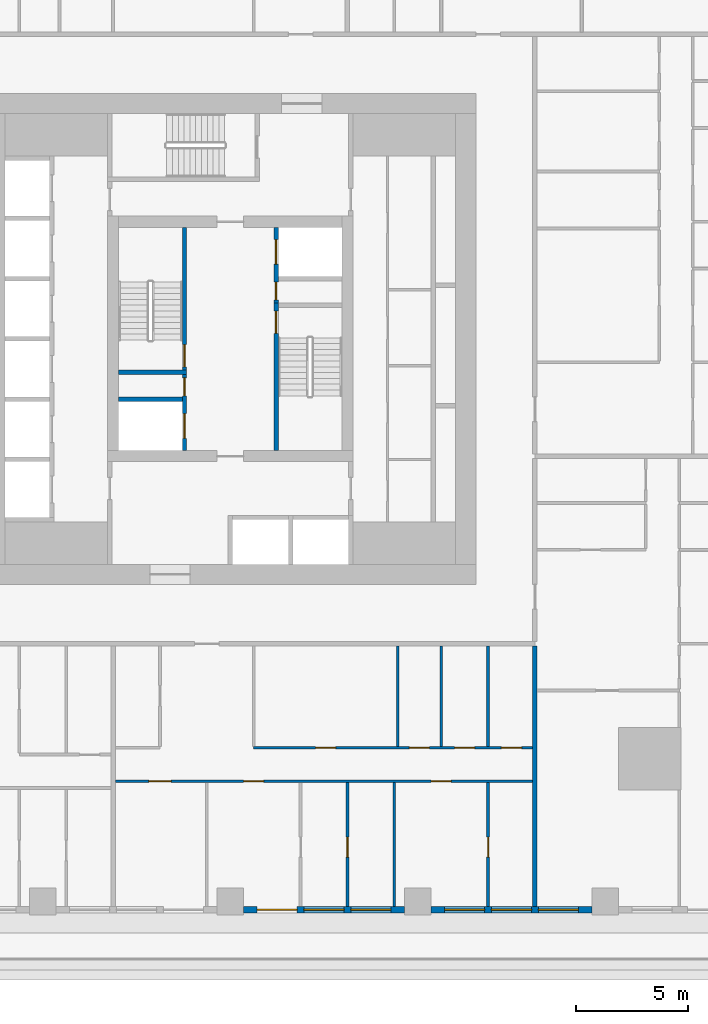
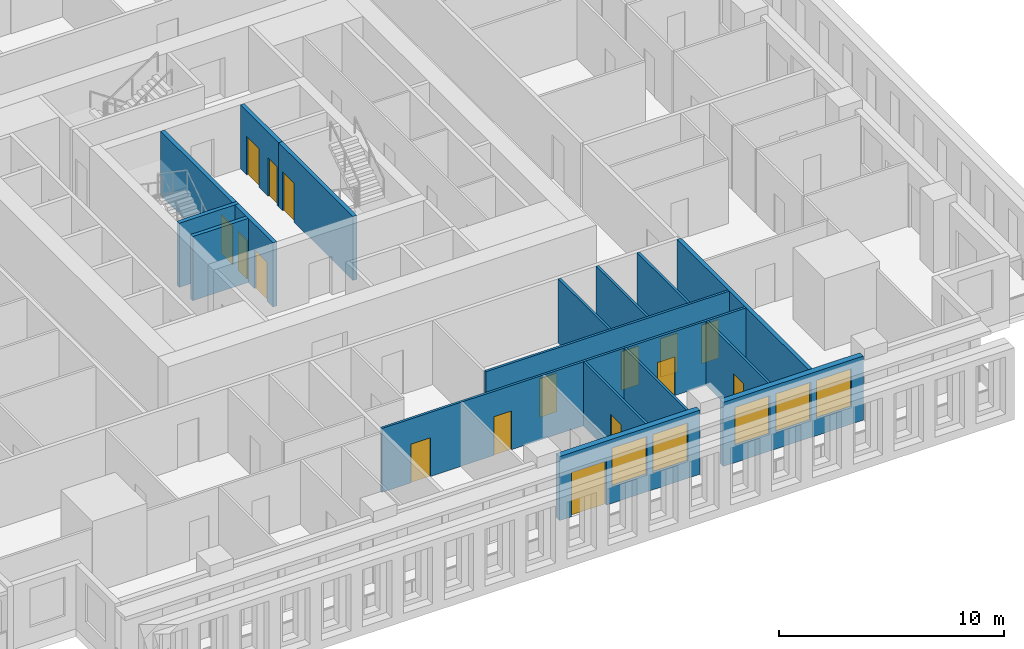
# One storey, part 4 of 15: 17 walls, 16 doors, 5 windows, 21 openings.
"""IFC4 building model written with IfcOpenShell, lengths in metres."""

import ifcopenshell
import ifcopenshell.guid

model = None  # the IFC model being written
_history = None  # IfcOwnerHistory: only IFC2X3 demands one
_inside = {}  # id of a spatial element -> (the spatial element, [elements in it])
_under = {}  # id of a project, library or spatial element -> (it, [spatial elements below it])
_declared = {}  # id of a project -> (the project, [libraries it declares])
_typed = {}  # id of a type object -> (the type object, [elements of that type])
_made_of = {}  # id of a material, layer set ... -> (it, [elements and type objects made of it])


def new_model(schema):
    """Start an empty IFC model of exactly this schema.

    Asked for "IFC4X3", IfcOpenShell would pick the latest addendum, in which some entities
    have other attributes; the version numbers below select the first issue.
    IFC2X3 requires an IfcOwnerHistory on every rooted entity: one is made here for all.
    """
    global model, _history
    if schema == "IFC4X3":
        model = ifcopenshell.file(schema_version=(4, 3, 0, 0))
    else:
        model = ifcopenshell.file(schema=schema)
    _inside.clear()
    _under.clear()
    _declared.clear()
    _typed.clear()
    _made_of.clear()
    _history = None
    if model.schema == "IFC2X3":
        org = make("IfcOrganization", Name="unknown")
        user = make(
            "IfcPersonAndOrganization",
            ThePerson=make("IfcPerson", FamilyName="unknown"),
            TheOrganization=org,
        )
        app = make(
            "IfcApplication",
            ApplicationDeveloper=org,
            Version="unknown",
            ApplicationFullName="unknown",
            ApplicationIdentifier="unknown",
        )
        _history = make(
            "IfcOwnerHistory",
            OwningUser=user,
            OwningApplication=app,
            ChangeAction="ADDED",
            CreationDate=0,
        )
    return model


def make(cls, **values):
    """One entity of the class cls with the attributes given. An attribute that is None is left unset."""
    return model.create_entity(
        cls, **{name: value for name, value in values.items() if value is not None}
    )


def rooted(cls, **values):
    """An entity with a GlobalId (a new one), such as an element, a storey or a relation."""
    return make(cls, GlobalId=ifcopenshell.guid.new(), OwnerHistory=_history, **values)


def si_unit(unit_type, name, prefix=None):
    """IfcSIUnit, for example si_unit("LENGTHUNIT", "METRE", prefix="MILLI")."""
    return make("IfcSIUnit", UnitType=unit_type, Prefix=prefix, Name=name)


def assignment(units):
    """IfcUnitAssignment: the units of a project."""
    return None if units is None else make("IfcUnitAssignment", Units=units)


def point(xyz):
    """IfcCartesianPoint."""
    return None if xyz is None else make("IfcCartesianPoint", Coordinates=xyz)


def direction(xyz):
    """IfcDirection."""
    return None if xyz is None else make("IfcDirection", DirectionRatios=xyz)


def frame(location, z_axis=None, x_axis=None):
    """IfcAxis2Placement3D, a coordinate frame: its origin and axes. An axis left out is left unset."""
    return make(
        "IfcAxis2Placement3D",
        Location=point(location),
        Axis=direction(z_axis),
        RefDirection=direction(x_axis),
    )


def frame_2d(location, x_axis=None):
    """IfcAxis2Placement2D, a coordinate frame in the plane: its origin and x axis."""
    return make(
        "IfcAxis2Placement2D", Location=point(location), RefDirection=direction(x_axis)
    )


def origin():
    """The frame at (0, 0, 0) with its axes left unset."""
    return frame((0.0, 0.0, 0.0))


def place(relative_to, where):
    """IfcLocalPlacement: puts the frame where relative to a parent placement (None: the world)."""
    return make(
        "IfcLocalPlacement", PlacementRelTo=relative_to, RelativePlacement=where
    )


def context(
    kind, dimensions, precision=None, world=None, true_north=None, identifier=None
):
    """IfcGeometricRepresentationContext, for example the 3D "Model" context."""
    return make(
        "IfcGeometricRepresentationContext",
        ContextIdentifier=identifier,
        ContextType=kind,
        CoordinateSpaceDimension=dimensions,
        Precision=precision,
        WorldCoordinateSystem=world,
        TrueNorth=true_north,
    )


def subcontext(parent, identifier, kind, view, scale=None):
    """IfcGeometricRepresentationSubContext, for example "Body" below "Model"."""
    return make(
        "IfcGeometricRepresentationSubContext",
        ContextIdentifier=identifier,
        ContextType=kind,
        ParentContext=parent,
        TargetScale=scale,
        TargetView=view,
    )


def project(units=None, contexts=None):
    """IfcProject with its units and contexts."""
    return rooted(
        "IfcProject",
        Name="project",
        RepresentationContexts=contexts,
        UnitsInContext=assignment(units),
    )


def spatial(cls, under=None, at=None, **own):
    """A site, building, storey or space (cls), placed at a placement, below another one or the project."""
    s = rooted(cls, ObjectPlacement=at, **own)
    if under is not None:
        _under.setdefault(under.id(), (under, []))[1].append(s)
    return s


def profile(cls, at=None, kind="AREA", **sizes):
    """A parametric profile (cls). Its sizes go by their IFC names, for example OverallWidth=200.0."""
    return make(cls, ProfileType=kind, Position=at, **sizes)


def rectangle(**sizes):
    """IfcRectangleProfileDef."""
    return profile("IfcRectangleProfileDef", **sizes)


def extrude(swept, where, along, depth):
    """IfcExtrudedAreaSolid: the profile swept, set in the frame where, extruded along a direction by depth."""
    return make(
        "IfcExtrudedAreaSolid",
        SweptArea=swept,
        Position=where,
        ExtrudedDirection=direction(along),
        Depth=depth,
    )


def shape(context_of_items, identifier, shape_type, items):
    """IfcShapeRepresentation: the items that make up one representation, for example the "Body"."""
    return make(
        "IfcShapeRepresentation",
        ContextOfItems=context_of_items,
        RepresentationIdentifier=identifier,
        RepresentationType=shape_type,
        Items=items,
    )


def material(Name=None, Category=None):
    """IfcMaterial."""
    return make("IfcMaterial", Name=Name, Category=Category)


def layer(
    of_material, thickness, ventilated=None, Name=None, Category=None, Priority=None
):
    """IfcMaterialLayer: one layer of a wall or slab, of a material (None: an air gap)."""
    return make(
        "IfcMaterialLayer",
        Material=of_material,
        LayerThickness=thickness,
        IsVentilated=ventilated,
        Name=Name,
        Category=Category,
        Priority=Priority,
    )


def layer_set(layers, Name=None):
    """IfcMaterialLayerSet."""
    return make("IfcMaterialLayerSet", MaterialLayers=layers, LayerSetName=Name)


def made_of(thing, what):
    """Note that an element or type object is made of a material, layer set ...; save() writes the relation."""
    if what is not None:
        _made_of.setdefault(what.id(), (what, []))[1].append(thing)
    return thing


def type_object(cls, material=None, **own):
    """A type object (cls), such as IfcWallType, which elements share."""
    return made_of(rooted(cls, **own), material)


def element(
    cls,
    number,
    at=None,
    inside=None,
    cuts=None,
    type_object=None,
    material=None,
    context=None,
    identifier="Body",
    shape_type=None,
    held_by="IfcProductDefinitionShape",
    body=None,
    shapes=None,
    **own,
):
    """One element of the class cls, such as IfcWall. Its Tag is "e" and its number.

    at: its placement. inside: the storey or other place that contains it. cuts: it is an
    opening in that element (IfcRelVoidsElement). A single representation is given by context,
    identifier, shape_type and body (its items); several are given by shapes. held_by: the class
    of the entity that holds the representations. save() writes the other relations.
    """
    e = rooted(cls, Tag="e%d" % number, ObjectPlacement=at, **own)
    if body is not None:
        shapes = [shape(context, identifier, shape_type, body)]
    if shapes is not None:
        e.Representation = make(held_by, Representations=shapes)
    if inside is not None:
        _inside.setdefault(inside.id(), (inside, []))[1].append(e)
    if cuts is not None:
        rooted(
            "IfcRelVoidsElement", RelatingBuildingElement=cuts, RelatedOpeningElement=e
        )
    if type_object is not None:
        _typed.setdefault(type_object.id(), (type_object, []))[1].append(e)
    return made_of(e, material)


def fill(opening, filler):
    """IfcRelFillsElement: the door or window that sits in an opening."""
    return rooted(
        "IfcRelFillsElement",
        RelatingOpeningElement=opening,
        RelatedBuildingElement=filler,
    )


def aggregate(whole, parts):
    """IfcRelAggregates: a whole, such as a stair, and the parts it consists of."""
    return rooted("IfcRelAggregates", RelatingObject=whole, RelatedObjects=parts)


def save(model, path):
    """Write the relations noted so far, then the file.

    IfcRelAggregates (storeys below a building ...), IfcRelContainedInSpatialStructure (elements
    in a storey), IfcRelDefinesByType, IfcRelAssociatesMaterial and IfcRelDeclares: one each for
    every whole, place, type object, material and project.
    """
    for whole, parts in _under.values():
        aggregate(whole, parts)
    for where, things in _inside.values():
        rooted(
            "IfcRelContainedInSpatialStructure",
            RelatedElements=things,
            RelatingStructure=where,
        )
    for kind, things in _typed.values():
        rooted("IfcRelDefinesByType", RelatedObjects=things, RelatingType=kind)
    for what, things in _made_of.values():
        rooted("IfcRelAssociatesMaterial", RelatedObjects=things, RelatingMaterial=what)
    for by, libraries in _declared.values():
        rooted("IfcRelDeclares", RelatingContext=by, RelatedDefinitions=libraries)
    model.write(path)


model = new_model("IFC4")

# Units and contexts
model_context = context("Model", 3, precision=1e-05, world=origin(), true_north=direction((0.0, 1.0)))
body_context = subcontext(model_context, "Body", "Model", "MODEL_VIEW")
ifc_project = project(units=[si_unit("LENGTHUNIT", "METRE"), si_unit("AREAUNIT", "SQUARE_METRE"), si_unit("VOLUMEUNIT", "CUBIC_METRE"), si_unit("PLANEANGLEUNIT", "RADIAN"), si_unit("MASSUNIT", "GRAM", prefix="KILO")], contexts=[model_context])

# Site, building, storey
site_placement = place(None, origin())
site = spatial("IfcSite", under=ifc_project, at=site_placement, CompositionType="ELEMENT")
building_placement = place(site_placement, origin())
building = spatial("IfcBuilding", under=site, at=building_placement, Name="Khepri Terraces", CompositionType="ELEMENT")
storey_placement = place(building_placement, frame((0.0, 0.0, 94.800048828125)))
storey = spatial("IfcBuildingStorey", under=building, at=storey_placement, Name="L22", CompositionType="ELEMENT", Elevation=94.800048828125)

# Wall, opening, door
ifc_material_1 = material(Name="Concrete C70/85", Category="concrete")
ifc_layer_1 = layer(ifc_material_1, 0.199951171875, Name="Concrete C70/85", Category="concrete")
ifc_layer_set_1 = layer_set([ifc_layer_1], Name="Concrete C70/85")
wall_type_1 = type_object("IfcWallType", Name="Core wall 200 C70/85", PredefinedType="SHEAR", material=ifc_layer_set_1)
wall_1_placement = place(storey_placement, frame((2.050048828125, -5.0, 0.0), z_axis=(0.0, 0.0, 1.0), x_axis=(0.0, 1.0, 0.0)))
wall_1 = element("IfcWall", 1, at=wall_1_placement, inside=storey, type_object=wall_type_1, Name="Core wall ST01 L22", PredefinedType="SHEAR", context=body_context, shape_type="SweptSolid", body=[
    extrude(rectangle(XDim=6.60009765625, YDim=0.199951171875, at=frame_2d((3.300048828125, 0.0))), origin(), (0.0, 0.0, 1.0), 3.47998046875),
])
opening_1_placement = place(wall_1_placement, frame((5.25, 0.0, 0.0)))
opening_1 = element("IfcOpeningElement", 2, at=opening_1_placement, cuts=wall_1, Name="Opening L22-C10", PredefinedType="OPENING", context=body_context, shape_type="SweptSolid", body=[
    extrude(rectangle(XDim=1.0, YDim=2.10009765625, at=frame_2d((0.5, 1.050048828125))), frame((0.0, 0.10986328125, 0.0), z_axis=(0.0, -1.0, 0.0), x_axis=(1.0, 0.0, 0.0)), (0.0, 0.0, 1.0), 0.219970703125),
])
ifc_material_2 = material(Name="Painted steel", Category="steel")
door_type_1 = type_object("IfcDoorType", Name="DR-CORE-STAIR-1000", OperationType="NOTDEFINED", PredefinedType="DOOR", material=ifc_material_2)
door_1_placement = place(opening_1_placement, frame((1.0, 0.0, 0.0), z_axis=(0.0, 0.0, 1.0), x_axis=(-1.0, 0.0, 0.0)))
door_1 = element("IfcDoor", 3, at=door_1_placement, inside=storey, type_object=door_type_1, Name="Stair door L22-C10", OperationType="SINGLE_SWING_LEFT", OverallHeight=2.10009765625, OverallWidth=1.0, PredefinedType="DOOR", context=body_context, shape_type="SweptSolid", body=[
    extrude(rectangle(XDim=1.0, YDim=2.10009765625, at=frame_2d((0.5, 1.050048828125))), frame((0.0, 0.02490234375, 0.0), z_axis=(0.0, -1.0, 0.0), x_axis=(1.0, 0.0, 0.0)), (0.0, 0.0, 1.0), 0.050048828125),
])
fill(opening_1, door_1)

# Wall
wall_2_placement = place(storey_placement, frame((-5.0, -1.5, 0.0), z_axis=(0.0, 0.0, 1.0), x_axis=(1.0, 0.0, 0.0)))
element("IfcWall", 4, at=wall_2_placement, inside=storey, type_object=wall_type_1, Name="Core wall ST02 L22", PredefinedType="SHEAR", context=body_context, shape_type="SweptSolid", body=[
    extrude(rectangle(XDim=3.050048828125, YDim=0.199951171875, at=frame_2d((1.52490234375, 0.0))), origin(), (0.0, 0.0, 1.0), 3.47998046875),
])

# Wall, opening, door
wall_3_placement = place(storey_placement, frame((-2.050048828125, -1.39990234375, 0.0), z_axis=(0.0, 0.0, 1.0), x_axis=(0.0, 1.0, 0.0)))
wall_3 = element("IfcWall", 5, at=wall_3_placement, inside=storey, type_object=wall_type_1, Name="Core wall ST03 L22", PredefinedType="SHEAR", context=body_context, shape_type="SweptSolid", body=[
    extrude(rectangle(XDim=6.39990234375, YDim=0.199951171875, at=frame_2d((3.199951171875, 0.0))), origin(), (0.0, 0.0, 1.0), 3.47998046875),
])
opening_2_placement = place(wall_3_placement, frame((0.14990234375, 0.0, 0.0)))
opening_2 = element("IfcOpeningElement", 6, at=opening_2_placement, cuts=wall_3, Name="Opening L22-C09", PredefinedType="OPENING", context=body_context, shape_type="SweptSolid", body=[
    extrude(rectangle(XDim=1.0, YDim=2.10009765625, at=frame_2d((0.5, 1.050048828125))), frame((0.0, 0.10986328125, 0.0), z_axis=(0.0, -1.0, 0.0), x_axis=(1.0, 0.0, 0.0)), (0.0, 0.0, 1.0), 0.219970703125),
])
door_2_placement = place(opening_2_placement, origin())
door_2 = element("IfcDoor", 7, at=door_2_placement, inside=storey, type_object=door_type_1, Name="Stair door L22-C09", OperationType="SINGLE_SWING_LEFT", OverallHeight=2.10009765625, OverallWidth=1.0, PredefinedType="DOOR", context=body_context, shape_type="SweptSolid", body=[
    extrude(rectangle(XDim=1.0, YDim=2.10009765625, at=frame_2d((0.5, 1.050048828125))), frame((0.0, 0.02490234375, 0.0), z_axis=(0.0, -1.0, 0.0), x_axis=(1.0, 0.0, 0.0)), (0.0, 0.0, 1.0), 0.050048828125),
])
fill(opening_2, door_2)

# Wall, openings, doors
wall_4_placement = place(storey_placement, frame((-2.050048828125, -5.0, 0.0), z_axis=(0.0, 0.0, 1.0), x_axis=(0.0, 1.0, 0.0)))
wall_4 = element("IfcWall", 8, at=wall_4_placement, inside=storey, type_object=wall_type_1, Name="Core wall SH10 L22", PredefinedType="SHEAR", context=body_context, shape_type="SweptSolid", body=[
    extrude(rectangle(XDim=3.39990234375, YDim=0.199951171875, at=frame_2d((1.699951171875, 0.0))), origin(), (0.0, 0.0, 1.0), 3.47998046875),
])
opening_3_placement = place(wall_4_placement, frame((0.550048828125, 0.0, 0.0)))
opening_3 = element("IfcOpeningElement", 9, at=opening_3_placement, cuts=wall_4, Name="Opening L22-C08", PredefinedType="OPENING", context=body_context, shape_type="SweptSolid", body=[
    extrude(rectangle(XDim=1.10009765625, YDim=2.10009765625, at=frame_2d((0.550048828125, 1.050048828125))), frame((0.0, 0.10986328125, 0.0), z_axis=(0.0, -1.0, 0.0), x_axis=(1.0, 0.0, 0.0)), (0.0, 0.0, 1.0), 0.219970703125),
])
opening_4_placement = place(wall_4_placement, frame((2.449951171875, 0.0, 0.0)))
opening_4 = element("IfcOpeningElement", 10, at=opening_4_placement, cuts=wall_4, Name="Opening L22-C12", PredefinedType="OPENING", context=body_context, shape_type="SweptSolid", body=[
    extrude(rectangle(XDim=0.800048828125, YDim=2.10009765625, at=frame_2d((0.39990234375, 1.050048828125))), frame((0.0, 0.10986328125, 0.0), z_axis=(0.0, -1.0, 0.0), x_axis=(1.0, 0.0, 0.0)), (0.0, 0.0, 1.0), 0.219970703125),
])
ifc_material_3 = material(Name="Stainless steel 304", Category="steel")
door_type_2 = type_object("IfcDoorType", Name="DR-CORE-FF-LANDING-1100", OperationType="NOTDEFINED", PredefinedType="DOOR", material=ifc_material_3)
door_3_placement = place(opening_3_placement, origin())
door_3 = element("IfcDoor", 11, at=door_3_placement, inside=storey, type_object=door_type_2, Name="Firefighting lift landing door L22-C08", OperationType="SLIDING_TO_LEFT", OverallHeight=2.10009765625, OverallWidth=1.10009765625, PredefinedType="DOOR", context=body_context, shape_type="SweptSolid", body=[
    extrude(rectangle(XDim=1.10009765625, YDim=2.10009765625, at=frame_2d((0.550048828125, 1.050048828125))), frame((0.0, 0.02490234375, 0.0), z_axis=(0.0, -1.0, 0.0), x_axis=(1.0, 0.0, 0.0)), (0.0, 0.0, 1.0), 0.050048828125),
])
fill(opening_3, door_3)
door_type_3 = type_object("IfcDoorType", Name="DR-CORE-RISER-800", OperationType="NOTDEFINED", PredefinedType="DOOR", material=ifc_material_2)
door_4_placement = place(opening_4_placement, origin())
door_4 = element("IfcDoor", 12, at=door_4_placement, inside=storey, type_object=door_type_3, Name="Riser door L22-C12", OperationType="SINGLE_SWING_RIGHT", OverallHeight=2.10009765625, OverallWidth=0.800048828125, PredefinedType="DOOR", context=body_context, shape_type="SweptSolid", body=[
    extrude(rectangle(XDim=0.800048828125, YDim=2.10009765625, at=frame_2d((0.39990234375, 1.050048828125))), frame((0.0, 0.02490234375, 0.0), z_axis=(0.0, -1.0, 0.0), x_axis=(1.0, 0.0, 0.0)), (0.0, 0.0, 1.0), 0.050048828125),
])
fill(opening_4, door_4)

# Wall
wall_5_placement = place(storey_placement, frame((-5.0, -2.699951171875, 0.0), z_axis=(0.0, 0.0, 1.0), x_axis=(1.0, 0.0, 0.0)))
element("IfcWall", 13, at=wall_5_placement, inside=storey, type_object=wall_type_1, Name="Core wall SH13 L22", PredefinedType="SHEAR", context=body_context, shape_type="SweptSolid", body=[
    extrude(rectangle(XDim=2.85009765625, YDim=0.199951171875, at=frame_2d((1.425048828125, 0.0))), origin(), (0.0, 0.0, 1.0), 3.47998046875),
])

# Wall, openings, doors
wall_6_placement = place(storey_placement, frame((2.050048828125, 1.60009765625, 0.0), z_axis=(0.0, 0.0, 1.0), x_axis=(0.0, 1.0, 0.0)))
wall_6 = element("IfcWall", 14, at=wall_6_placement, inside=storey, type_object=wall_type_1, Name="Core wall SH15 L22", PredefinedType="SHEAR", context=body_context, shape_type="SweptSolid", body=[
    extrude(rectangle(XDim=3.39990234375, YDim=0.199951171875, at=frame_2d((1.699951171875, 0.0))), origin(), (0.0, 0.0, 1.0), 3.47998046875),
])
opening_5_placement = place(wall_6_placement, frame((1.75, 0.0, 0.0)))
opening_5 = element("IfcOpeningElement", 15, at=opening_5_placement, cuts=wall_6, Name="Opening L22-C07", PredefinedType="OPENING", context=body_context, shape_type="SweptSolid", body=[
    extrude(rectangle(XDim=1.10009765625, YDim=2.10009765625, at=frame_2d((0.550048828125, 1.050048828125))), frame((0.0, 0.10986328125, 0.0), z_axis=(0.0, -1.0, 0.0), x_axis=(1.0, 0.0, 0.0)), (0.0, 0.0, 1.0), 0.219970703125),
])
opening_6_placement = place(wall_6_placement, frame((0.14990234375, 0.0, 0.0)))
opening_6 = element("IfcOpeningElement", 16, at=opening_6_placement, cuts=wall_6, Name="Opening L22-C11", PredefinedType="OPENING", context=body_context, shape_type="SweptSolid", body=[
    extrude(rectangle(XDim=0.800048828125, YDim=2.10009765625, at=frame_2d((0.39990234375, 1.050048828125))), frame((0.0, 0.10986328125, 0.0), z_axis=(0.0, -1.0, 0.0), x_axis=(1.0, 0.0, 0.0)), (0.0, 0.0, 1.0), 0.219970703125),
])
door_5_placement = place(opening_5_placement, origin())
door_5 = element("IfcDoor", 17, at=door_5_placement, inside=storey, type_object=door_type_2, Name="Firefighting lift landing door L22-C07", OperationType="SLIDING_TO_LEFT", OverallHeight=2.10009765625, OverallWidth=1.10009765625, PredefinedType="DOOR", context=body_context, shape_type="SweptSolid", body=[
    extrude(rectangle(XDim=1.10009765625, YDim=2.10009765625, at=frame_2d((0.550048828125, 1.050048828125))), frame((0.0, 0.02490234375, 0.0), z_axis=(0.0, -1.0, 0.0), x_axis=(1.0, 0.0, 0.0)), (0.0, 0.0, 1.0), 0.050048828125),
])
fill(opening_5, door_5)
door_6_placement = place(opening_6_placement, frame((0.800048828125, 0.0, 0.0), z_axis=(0.0, 0.0, 1.0), x_axis=(-1.0, 0.0, 0.0)))
door_6 = element("IfcDoor", 18, at=door_6_placement, inside=storey, type_object=door_type_3, Name="Riser door L22-C11", OperationType="SINGLE_SWING_RIGHT", OverallHeight=2.10009765625, OverallWidth=0.800048828125, PredefinedType="DOOR", context=body_context, shape_type="SweptSolid", body=[
    extrude(rectangle(XDim=0.800048828125, YDim=2.10009765625, at=frame_2d((0.39990234375, 1.050048828125))), frame((0.0, 0.02490234375, 0.0), z_axis=(0.0, -1.0, 0.0), x_axis=(1.0, 0.0, 0.0)), (0.0, 0.0, 1.0), 0.050048828125),
])
fill(opening_6, door_6)

# Wall
ifc_material_4 = material(Name="Fire-rated gypsum plasterboard partition, mineral wool")
ifc_layer_2 = layer(ifc_material_4, 0.199951171875, Name="Fire-rated gypsum plasterboard partition, mineral wool")
ifc_layer_set_2 = layer_set([ifc_layer_2], Name="Fire-rated gypsum plasterboard partition, mineral wool")
wall_type_2 = type_object("IfcWallType", Name="WL-CORR-200", PredefinedType="PARTITIONING", material=ifc_layer_set_2)
wall_7_placement = place(storey_placement, frame((13.64990234375, -25.419921875, 0.0), z_axis=(0.0, 0.0, 1.0), x_axis=(0.0, 1.0, 0.0)))
element("IfcWall", 19, at=wall_7_placement, inside=storey, type_object=wall_type_2, Name="Partition P-010 L22", PredefinedType="PARTITIONING", context=body_context, shape_type="SweptSolid", body=[
    extrude(rectangle(XDim=11.669921875, YDim=0.199951171875, at=frame_2d((5.8349609375, 0.0))), origin(), (0.0, 0.0, 1.0), 3.47998046875),
])

# Wall, openings, door, windows
ifc_material_5 = material(Name="Precast concrete C50/60 warm stone", Category="masonry")
ifc_layer_3 = layer(ifc_material_5, 0.300048828125, Name="Precast concrete C50/60 warm stone", Category="masonry")
ifc_layer_set_3 = layer_set([ifc_layer_3], Name="Precast concrete C50/60 warm stone")
wall_type_3 = type_object("IfcWallType", Name="WL-EXT-PRECAST-300", PredefinedType="STANDARD", material=ifc_layer_set_3)
wall_8_placement = place(storey_placement, frame((0.60009765625, -25.570068359375, 0.0), z_axis=(0.0, 0.0, 1.0), x_axis=(1.0, 0.0, 0.0)))
wall_8 = element("IfcWall", 20, at=wall_8_placement, inside=storey, type_object=wall_type_3, Name="External wall L22 S", PredefinedType="STANDARD", context=body_context, shape_type="SweptSolid", body=[
    extrude(rectangle(XDim=7.199951171875, YDim=0.300048828125, at=frame_2d((3.60009765625, 0.0))), origin(), (0.0, 0.0, 1.0), 3.47998046875),
])
opening_7_placement = place(wall_8_placement, frame((0.60009765625, 0.0, 0.0)))
opening_7 = element("IfcOpeningElement", 21, at=opening_7_placement, cuts=wall_8, Name="Opening ED-L22-23", PredefinedType="OPENING", context=body_context, shape_type="SweptSolid", body=[
    extrude(rectangle(XDim=1.800048828125, YDim=2.39990234375, at=frame_2d((0.89990234375, 1.199951171875))), frame((0.0, 0.16015625, 0.0), z_axis=(0.0, -1.0, 0.0), x_axis=(1.0, 0.0, 0.0)), (0.0, 0.0, 1.0), 0.320068359375),
])
opening_8_placement = place(wall_8_placement, frame((2.699951171875, 0.0, 0.89990234375)))
opening_8 = element("IfcOpeningElement", 22, at=opening_8_placement, cuts=wall_8, Name="Opening W1", PredefinedType="OPENING", context=body_context, shape_type="SweptSolid", body=[
    extrude(rectangle(XDim=1.800048828125, YDim=2.10009765625, at=frame_2d((0.89990234375, 1.050048828125))), frame((0.0, 0.16015625, 0.0), z_axis=(0.0, -1.0, 0.0), x_axis=(1.0, 0.0, 0.0)), (0.0, 0.0, 1.0), 0.320068359375),
])
opening_9_placement = place(wall_8_placement, frame((4.800048828125, 0.0, 0.89990234375)))
opening_9 = element("IfcOpeningElement", 23, at=opening_9_placement, cuts=wall_8, Name="Opening W1", PredefinedType="OPENING", context=body_context, shape_type="SweptSolid", body=[
    extrude(rectangle(XDim=1.800048828125, YDim=2.10009765625, at=frame_2d((0.89990234375, 1.050048828125))), frame((0.0, 0.16015625, 0.0), z_axis=(0.0, -1.0, 0.0), x_axis=(1.0, 0.0, 0.0)), (0.0, 0.0, 1.0), 0.320068359375),
])
ifc_material_6 = material(Name="Anodised aluminium bronze glazed door", Category="aluminium")
door_type_4 = type_object("IfcDoorType", Name="DR-BAL-SLIDE-1800x2400", OperationType="NOTDEFINED", PredefinedType="DOOR", material=ifc_material_6)
door_7_placement = place(opening_7_placement, origin())
door_7 = element("IfcDoor", 24, at=door_7_placement, inside=storey, type_object=door_type_4, Name="Balcony door L22 S", OperationType="SLIDING_TO_LEFT", OverallHeight=2.39990234375, OverallWidth=1.800048828125, PredefinedType="DOOR", context=body_context, shape_type="SweptSolid", body=[
    extrude(rectangle(XDim=1.800048828125, YDim=2.39990234375, at=frame_2d((0.89990234375, 1.199951171875))), frame((0.0, 0.02490234375, 0.0), z_axis=(0.0, -1.0, 0.0), x_axis=(1.0, 0.0, 0.0)), (0.0, 0.0, 1.0), 0.050048828125),
])
fill(opening_7, door_7)
ifc_material_7 = material(Name="Clear glass", Category="glass")
window_type = type_object("IfcWindowType", Name="WIN-RES-1800x2100", PartitioningType="SINGLE_PANEL", PredefinedType="WINDOW", material=ifc_material_7)
window_1_placement = place(opening_8_placement, origin())
window_1 = element("IfcWindow", 25, at=window_1_placement, inside=storey, type_object=window_type, Name="Window L22 S", OverallHeight=2.10009765625, OverallWidth=1.800048828125, PartitioningType="SINGLE_PANEL", PredefinedType="WINDOW", context=body_context, shape_type="SweptSolid", body=[
    extrude(rectangle(XDim=1.800048828125, YDim=2.10009765625, at=frame_2d((0.89990234375, 1.050048828125))), frame((0.0, 0.030029296875, 0.0), z_axis=(0.0, -1.0, 0.0), x_axis=(1.0, 0.0, 0.0)), (0.0, 0.0, 1.0), 0.06005859375),
])
fill(opening_8, window_1)
window_2_placement = place(opening_9_placement, origin())
window_2 = element("IfcWindow", 26, at=window_2_placement, inside=storey, type_object=window_type, Name="Window L22 S", OverallHeight=2.10009765625, OverallWidth=1.800048828125, PartitioningType="SINGLE_PANEL", PredefinedType="WINDOW", context=body_context, shape_type="SweptSolid", body=[
    extrude(rectangle(XDim=1.800048828125, YDim=2.10009765625, at=frame_2d((0.89990234375, 1.050048828125))), frame((0.0, 0.030029296875, 0.0), z_axis=(0.0, -1.0, 0.0), x_axis=(1.0, 0.0, 0.0)), (0.0, 0.0, 1.0), 0.06005859375),
])
fill(opening_9, window_2)

# Wall, openings, windows
wall_9_placement = place(storey_placement, frame((9.0, -25.570068359375, 0.0), z_axis=(0.0, 0.0, 1.0), x_axis=(1.0, 0.0, 0.0)))
wall_9 = element("IfcWall", 27, at=wall_9_placement, inside=storey, type_object=wall_type_3, Name="External wall L22 S", PredefinedType="STANDARD", context=body_context, shape_type="SweptSolid", body=[
    extrude(rectangle(XDim=7.199951171875, YDim=0.300048828125, at=frame_2d((3.60009765625, 0.0))), origin(), (0.0, 0.0, 1.0), 3.47998046875),
])
opening_10_placement = place(wall_9_placement, frame((0.60009765625, 0.0, 0.89990234375)))
opening_10 = element("IfcOpeningElement", 28, at=opening_10_placement, cuts=wall_9, Name="Opening W1", PredefinedType="OPENING", context=body_context, shape_type="SweptSolid", body=[
    extrude(rectangle(XDim=1.800048828125, YDim=2.10009765625, at=frame_2d((0.89990234375, 1.050048828125))), frame((0.0, 0.16015625, 0.0), z_axis=(0.0, -1.0, 0.0), x_axis=(1.0, 0.0, 0.0)), (0.0, 0.0, 1.0), 0.320068359375),
])
opening_11_placement = place(wall_9_placement, frame((2.699951171875, 0.0, 0.89990234375)))
opening_11 = element("IfcOpeningElement", 29, at=opening_11_placement, cuts=wall_9, Name="Opening W1", PredefinedType="OPENING", context=body_context, shape_type="SweptSolid", body=[
    extrude(rectangle(XDim=1.800048828125, YDim=2.10009765625, at=frame_2d((0.89990234375, 1.050048828125))), frame((0.0, 0.16015625, 0.0), z_axis=(0.0, -1.0, 0.0), x_axis=(1.0, 0.0, 0.0)), (0.0, 0.0, 1.0), 0.320068359375),
])
opening_12_placement = place(wall_9_placement, frame((4.800048828125, 0.0, 0.89990234375)))
opening_12 = element("IfcOpeningElement", 30, at=opening_12_placement, cuts=wall_9, Name="Opening W1", PredefinedType="OPENING", context=body_context, shape_type="SweptSolid", body=[
    extrude(rectangle(XDim=1.800048828125, YDim=2.10009765625, at=frame_2d((0.89990234375, 1.050048828125))), frame((0.0, 0.16015625, 0.0), z_axis=(0.0, -1.0, 0.0), x_axis=(1.0, 0.0, 0.0)), (0.0, 0.0, 1.0), 0.320068359375),
])
window_3_placement = place(opening_10_placement, origin())
window_3 = element("IfcWindow", 31, at=window_3_placement, inside=storey, type_object=window_type, Name="Window L22 S", OverallHeight=2.10009765625, OverallWidth=1.800048828125, PartitioningType="SINGLE_PANEL", PredefinedType="WINDOW", context=body_context, shape_type="SweptSolid", body=[
    extrude(rectangle(XDim=1.800048828125, YDim=2.10009765625, at=frame_2d((0.89990234375, 1.050048828125))), frame((0.0, 0.030029296875, 0.0), z_axis=(0.0, -1.0, 0.0), x_axis=(1.0, 0.0, 0.0)), (0.0, 0.0, 1.0), 0.06005859375),
])
fill(opening_10, window_3)
window_4_placement = place(opening_11_placement, origin())
window_4 = element("IfcWindow", 32, at=window_4_placement, inside=storey, type_object=window_type, Name="Window L22 S", OverallHeight=2.10009765625, OverallWidth=1.800048828125, PartitioningType="SINGLE_PANEL", PredefinedType="WINDOW", context=body_context, shape_type="SweptSolid", body=[
    extrude(rectangle(XDim=1.800048828125, YDim=2.10009765625, at=frame_2d((0.89990234375, 1.050048828125))), frame((0.0, 0.030029296875, 0.0), z_axis=(0.0, -1.0, 0.0), x_axis=(1.0, 0.0, 0.0)), (0.0, 0.0, 1.0), 0.06005859375),
])
fill(opening_11, window_4)
window_5_placement = place(opening_12_placement, origin())
window_5 = element("IfcWindow", 33, at=window_5_placement, inside=storey, type_object=window_type, Name="Window L22 S", OverallHeight=2.10009765625, OverallWidth=1.800048828125, PartitioningType="SINGLE_PANEL", PredefinedType="WINDOW", context=body_context, shape_type="SweptSolid", body=[
    extrude(rectangle(XDim=1.800048828125, YDim=2.10009765625, at=frame_2d((0.89990234375, 1.050048828125))), frame((0.0, 0.030029296875, 0.0), z_axis=(0.0, -1.0, 0.0), x_axis=(1.0, 0.0, 0.0)), (0.0, 0.0, 1.0), 0.06005859375),
])
fill(opening_12, window_5)

# Wall, opening, door
ifc_material_8 = material(Name="Gypsum plasterboard partition")
ifc_layer_4 = layer(ifc_material_8, 0.1201171875, Name="Gypsum plasterboard partition")
ifc_layer_set_4 = layer_set([ifc_layer_4], Name="Gypsum plasterboard partition")
wall_type_4 = type_object("IfcWallType", Name="WL-PART-120", PredefinedType="PARTITIONING", material=ifc_layer_set_4)
wall_10_placement = place(storey_placement, frame((5.25, -25.419921875, 0.0), z_axis=(0.0, 0.0, 1.0), x_axis=(0.0, 1.0, 0.0)))
wall_10 = element("IfcWall", 34, at=wall_10_placement, inside=storey, type_object=wall_type_4, Name="Partition P-007 L22", PredefinedType="PARTITIONING", context=body_context, shape_type="SweptSolid", body=[
    extrude(rectangle(XDim=5.5400390625, YDim=0.1201171875, at=frame_2d((2.77001953125, 0.0))), origin(), (0.0, 0.0, 1.0), 3.47998046875),
])
opening_13_placement = place(wall_10_placement, frame((2.199951171875, 0.0, 0.0)))
opening_13 = element("IfcOpeningElement", 35, at=opening_13_placement, cuts=wall_10, Name="Opening D4", PredefinedType="OPENING", context=body_context, shape_type="SweptSolid", body=[
    extrude(rectangle(XDim=0.89990234375, YDim=2.10009765625, at=frame_2d((0.449951171875, 1.050048828125))), frame((0.0, 0.070068359375, 0.0), z_axis=(0.0, -1.0, 0.0), x_axis=(1.0, 0.0, 0.0)), (0.0, 0.0, 1.0), 0.14013671875),
])
ifc_material_9 = material(Name="Timber door leaf, moisture resistant", Category="wood")
door_type_5 = type_object("IfcDoorType", Name="DR-WET-900", OperationType="NOTDEFINED", PredefinedType="DOOR", material=ifc_material_9)
door_8_placement = place(opening_13_placement, frame((0.89990234375, 0.0, 0.0), z_axis=(0.0, 0.0, 1.0), x_axis=(-1.0, 0.0, 0.0)))
door_8 = element("IfcDoor", 36, at=door_8_placement, inside=storey, type_object=door_type_5, Name="Door Bathroom", OperationType="SINGLE_SWING_RIGHT", OverallHeight=2.10009765625, OverallWidth=0.89990234375, PredefinedType="DOOR", context=body_context, shape_type="SweptSolid", body=[
    extrude(rectangle(XDim=0.89990234375, YDim=2.10009765625, at=frame_2d((0.449951171875, 1.050048828125))), frame((0.0, 0.02490234375, 0.0), z_axis=(0.0, -1.0, 0.0), x_axis=(1.0, 0.0, 0.0)), (0.0, 0.0, 1.0), 0.050048828125),
])
fill(opening_13, door_8)

# Wall
wall_11_placement = place(storey_placement, frame((7.35009765625, -25.419921875, 0.0), z_axis=(0.0, 0.0, 1.0), x_axis=(0.0, 1.0, 0.0)))
element("IfcWall", 37, at=wall_11_placement, inside=storey, type_object=wall_type_4, Name="Partition P-008 L22", PredefinedType="PARTITIONING", context=body_context, shape_type="SweptSolid", body=[
    extrude(rectangle(XDim=5.5400390625, YDim=0.1201171875, at=frame_2d((2.77001953125, 0.0))), origin(), (0.0, 0.0, 1.0), 3.47998046875),
])

# Wall, opening, door
wall_12_placement = place(storey_placement, frame((11.550048828125, -25.419921875, 0.0), z_axis=(0.0, 0.0, 1.0), x_axis=(0.0, 1.0, 0.0)))
wall_12 = element("IfcWall", 38, at=wall_12_placement, inside=storey, type_object=wall_type_4, Name="Partition P-009 L22", PredefinedType="PARTITIONING", context=body_context, shape_type="SweptSolid", body=[
    extrude(rectangle(XDim=5.5400390625, YDim=0.1201171875, at=frame_2d((2.77001953125, 0.0))), origin(), (0.0, 0.0, 1.0), 3.47998046875),
])
opening_14_placement = place(wall_12_placement, frame((2.199951171875, 0.0, 0.0)))
opening_14 = element("IfcOpeningElement", 39, at=opening_14_placement, cuts=wall_12, Name="Opening D4", PredefinedType="OPENING", context=body_context, shape_type="SweptSolid", body=[
    extrude(rectangle(XDim=0.89990234375, YDim=2.10009765625, at=frame_2d((0.449951171875, 1.050048828125))), frame((0.0, 0.070068359375, 0.0), z_axis=(0.0, -1.0, 0.0), x_axis=(1.0, 0.0, 0.0)), (0.0, 0.0, 1.0), 0.14013671875),
])
door_9_placement = place(opening_14_placement, frame((0.89990234375, 0.0, 0.0), z_axis=(0.0, 0.0, 1.0), x_axis=(-1.0, 0.0, 0.0)))
door_9 = element("IfcDoor", 40, at=door_9_placement, inside=storey, type_object=door_type_5, Name="Door Bathroom", OperationType="SINGLE_SWING_RIGHT", OverallHeight=2.10009765625, OverallWidth=0.89990234375, PredefinedType="DOOR", context=body_context, shape_type="SweptSolid", body=[
    extrude(rectangle(XDim=0.89990234375, YDim=2.10009765625, at=frame_2d((0.449951171875, 1.050048828125))), frame((0.0, 0.02490234375, 0.0), z_axis=(0.0, -1.0, 0.0), x_axis=(1.0, 0.0, 0.0)), (0.0, 0.0, 1.0), 0.050048828125),
])
fill(opening_14, door_9)

# Wall, openings, doors
wall_13_placement = place(storey_placement, frame((-5.14990234375, -19.820068359375, 0.0), z_axis=(0.0, 0.0, 1.0), x_axis=(1.0, 0.0, 0.0)))
wall_13 = element("IfcWall", 41, at=wall_13_placement, inside=storey, type_object=wall_type_4, Name="Partition P-015 L22", PredefinedType="PARTITIONING", context=body_context, shape_type="SweptSolid", body=[
    extrude(rectangle(XDim=18.699951171875, YDim=0.1201171875, at=frame_2d((9.35009765625, 0.0))), origin(), (0.0, 0.0, 1.0), 3.47998046875),
])
opening_15_placement = place(wall_13_placement, frame((1.5, 0.0, 0.0)))
opening_15 = element("IfcOpeningElement", 42, at=opening_15_placement, cuts=wall_13, Name="Opening D2", PredefinedType="OPENING", context=body_context, shape_type="SweptSolid", body=[
    extrude(rectangle(XDim=1.0, YDim=2.10009765625, at=frame_2d((0.5, 1.050048828125))), frame((0.0, 0.070068359375, 0.0), z_axis=(0.0, -1.0, 0.0), x_axis=(1.0, 0.0, 0.0)), (0.0, 0.0, 1.0), 0.14013671875),
])
opening_16_placement = place(wall_13_placement, frame((5.75, 0.0, 0.0)))
opening_16 = element("IfcOpeningElement", 43, at=opening_16_placement, cuts=wall_13, Name="Opening D3", PredefinedType="OPENING", context=body_context, shape_type="SweptSolid", body=[
    extrude(rectangle(XDim=0.89990234375, YDim=2.10009765625, at=frame_2d((0.449951171875, 1.050048828125))), frame((0.0, 0.070068359375, 0.0), z_axis=(0.0, -1.0, 0.0), x_axis=(1.0, 0.0, 0.0)), (0.0, 0.0, 1.0), 0.14013671875),
])
opening_17_placement = place(wall_13_placement, frame((14.14990234375, 0.0, 0.0)))
opening_17 = element("IfcOpeningElement", 44, at=opening_17_placement, cuts=wall_13, Name="Opening D3", PredefinedType="OPENING", context=body_context, shape_type="SweptSolid", body=[
    extrude(rectangle(XDim=0.89990234375, YDim=2.10009765625, at=frame_2d((0.449951171875, 1.050048828125))), frame((0.0, 0.070068359375, 0.0), z_axis=(0.0, -1.0, 0.0), x_axis=(1.0, 0.0, 0.0)), (0.0, 0.0, 1.0), 0.14013671875),
])
ifc_material_10 = material(Name="Timber door leaf, living room door", Category="wood")
door_type_6 = type_object("IfcDoorType", Name="DR-INT-1000", OperationType="NOTDEFINED", PredefinedType="DOOR", material=ifc_material_10)
door_10_placement = place(opening_15_placement, frame((1.0, 0.0, 0.0), z_axis=(0.0, 0.0, 1.0), x_axis=(-1.0, 0.0, 0.0)))
door_10 = element("IfcDoor", 45, at=door_10_placement, inside=storey, type_object=door_type_6, Name="Door Living Room", OperationType="SINGLE_SWING_RIGHT", OverallHeight=2.10009765625, OverallWidth=1.0, PredefinedType="DOOR", context=body_context, shape_type="SweptSolid", body=[
    extrude(rectangle(XDim=1.0, YDim=2.10009765625, at=frame_2d((0.5, 1.050048828125))), frame((0.0, 0.02490234375, 0.0), z_axis=(0.0, -1.0, 0.0), x_axis=(1.0, 0.0, 0.0)), (0.0, 0.0, 1.0), 0.050048828125),
])
fill(opening_15, door_10)
ifc_material_11 = material(Name="Timber door leaf", Category="wood")
door_type_7 = type_object("IfcDoorType", Name="DR-INT-900", OperationType="NOTDEFINED", PredefinedType="DOOR", material=ifc_material_11)
door_11_placement = place(opening_16_placement, frame((0.89990234375, 0.0, 0.0), z_axis=(0.0, 0.0, 1.0), x_axis=(-1.0, 0.0, 0.0)))
door_11 = element("IfcDoor", 46, at=door_11_placement, inside=storey, type_object=door_type_7, Name="Door Master Bedroom", OperationType="SINGLE_SWING_RIGHT", OverallHeight=2.10009765625, OverallWidth=0.89990234375, PredefinedType="DOOR", context=body_context, shape_type="SweptSolid", body=[
    extrude(rectangle(XDim=0.89990234375, YDim=2.10009765625, at=frame_2d((0.449951171875, 1.050048828125))), frame((0.0, 0.02490234375, 0.0), z_axis=(0.0, -1.0, 0.0), x_axis=(1.0, 0.0, 0.0)), (0.0, 0.0, 1.0), 0.050048828125),
])
fill(opening_16, door_11)
door_12_placement = place(opening_17_placement, frame((0.89990234375, 0.0, 0.0), z_axis=(0.0, 0.0, 1.0), x_axis=(-1.0, 0.0, 0.0)))
door_12 = element("IfcDoor", 47, at=door_12_placement, inside=storey, type_object=door_type_7, Name="Door Bedroom", OperationType="SINGLE_SWING_LEFT", OverallHeight=2.10009765625, OverallWidth=0.89990234375, PredefinedType="DOOR", context=body_context, shape_type="SweptSolid", body=[
    extrude(rectangle(XDim=0.89990234375, YDim=2.10009765625, at=frame_2d((0.449951171875, 1.050048828125))), frame((0.0, 0.02490234375, 0.0), z_axis=(0.0, -1.0, 0.0), x_axis=(1.0, 0.0, 0.0)), (0.0, 0.0, 1.0), 0.050048828125),
])
fill(opening_17, door_12)

wall_14_placement = place(storey_placement, frame((1.050048828125, -18.320068359375, 0.0), z_axis=(0.0, 0.0, 1.0), x_axis=(1.0, 0.0, 0.0)))
wall_14 = element("IfcWall", 48, at=wall_14_placement, inside=storey, type_object=wall_type_4, Name="Partition P-020 L22", PredefinedType="PARTITIONING", context=body_context, shape_type="SweptSolid", body=[
    extrude(rectangle(XDim=12.5, YDim=0.1201171875, at=frame_2d((6.25, 0.0))), origin(), (0.0, 0.0, 1.0), 3.47998046875),
])
opening_18_placement = place(wall_14_placement, frame((2.77490234375, 0.0, 0.0)))
opening_18 = element("IfcOpeningElement", 49, at=opening_18_placement, cuts=wall_14, Name="Opening D3", PredefinedType="OPENING", context=body_context, shape_type="SweptSolid", body=[
    extrude(rectangle(XDim=0.89990234375, YDim=2.10009765625, at=frame_2d((0.449951171875, 1.050048828125))), frame((0.0, 0.070068359375, 0.0), z_axis=(0.0, -1.0, 0.0), x_axis=(1.0, 0.0, 0.0)), (0.0, 0.0, 1.0), 0.14013671875),
])
opening_19_placement = place(wall_14_placement, frame((6.97509765625, 0.0, 0.0)))
opening_19 = element("IfcOpeningElement", 50, at=opening_19_placement, cuts=wall_14, Name="Opening D3", PredefinedType="OPENING", context=body_context, shape_type="SweptSolid", body=[
    extrude(rectangle(XDim=0.89990234375, YDim=2.10009765625, at=frame_2d((0.449951171875, 1.050048828125))), frame((0.0, 0.070068359375, 0.0), z_axis=(0.0, -1.0, 0.0), x_axis=(1.0, 0.0, 0.0)), (0.0, 0.0, 1.0), 0.14013671875),
])
opening_20_placement = place(wall_14_placement, frame((9.0, 0.0, 0.0)))
opening_20 = element("IfcOpeningElement", 51, at=opening_20_placement, cuts=wall_14, Name="Opening D4", PredefinedType="OPENING", context=body_context, shape_type="SweptSolid", body=[
    extrude(rectangle(XDim=0.89990234375, YDim=2.10009765625, at=frame_2d((0.449951171875, 1.050048828125))), frame((0.0, 0.070068359375, 0.0), z_axis=(0.0, -1.0, 0.0), x_axis=(1.0, 0.0, 0.0)), (0.0, 0.0, 1.0), 0.14013671875),
])
opening_21_placement = place(wall_14_placement, frame((11.10009765625, 0.0, 0.0)))
opening_21 = element("IfcOpeningElement", 52, at=opening_21_placement, cuts=wall_14, Name="Opening D4", PredefinedType="OPENING", context=body_context, shape_type="SweptSolid", body=[
    extrude(rectangle(XDim=0.89990234375, YDim=2.10009765625, at=frame_2d((0.449951171875, 1.050048828125))), frame((0.0, 0.070068359375, 0.0), z_axis=(0.0, -1.0, 0.0), x_axis=(1.0, 0.0, 0.0)), (0.0, 0.0, 1.0), 0.14013671875),
])
door_13_placement = place(opening_18_placement, origin())
door_13 = element("IfcDoor", 53, at=door_13_placement, inside=storey, type_object=door_type_7, Name="Door Kitchen", OperationType="SINGLE_SWING_LEFT", OverallHeight=2.10009765625, OverallWidth=0.89990234375, PredefinedType="DOOR", context=body_context, shape_type="SweptSolid", body=[
    extrude(rectangle(XDim=0.89990234375, YDim=2.10009765625, at=frame_2d((0.449951171875, 1.050048828125))), frame((0.0, 0.02490234375, 0.0), z_axis=(0.0, -1.0, 0.0), x_axis=(1.0, 0.0, 0.0)), (0.0, 0.0, 1.0), 0.050048828125),
])
fill(opening_18, door_13)
door_14_placement = place(opening_19_placement, origin())
door_14 = element("IfcDoor", 54, at=door_14_placement, inside=storey, type_object=door_type_7, Name="Door Service Store", OperationType="SINGLE_SWING_RIGHT", OverallHeight=2.10009765625, OverallWidth=0.89990234375, PredefinedType="DOOR", context=body_context, shape_type="SweptSolid", body=[
    extrude(rectangle(XDim=0.89990234375, YDim=2.10009765625, at=frame_2d((0.449951171875, 1.050048828125))), frame((0.0, 0.02490234375, 0.0), z_axis=(0.0, -1.0, 0.0), x_axis=(1.0, 0.0, 0.0)), (0.0, 0.0, 1.0), 0.050048828125),
])
fill(opening_19, door_14)
door_15_placement = place(opening_20_placement, origin())
door_15 = element("IfcDoor", 55, at=door_15_placement, inside=storey, type_object=door_type_5, Name="Door Powder Room", OperationType="SINGLE_SWING_RIGHT", OverallHeight=2.10009765625, OverallWidth=0.89990234375, PredefinedType="DOOR", context=body_context, shape_type="SweptSolid", body=[
    extrude(rectangle(XDim=0.89990234375, YDim=2.10009765625, at=frame_2d((0.449951171875, 1.050048828125))), frame((0.0, 0.02490234375, 0.0), z_axis=(0.0, -1.0, 0.0), x_axis=(1.0, 0.0, 0.0)), (0.0, 0.0, 1.0), 0.050048828125),
])
fill(opening_20, door_15)
door_16_placement = place(opening_21_placement, origin())
door_16 = element("IfcDoor", 56, at=door_16_placement, inside=storey, type_object=door_type_5, Name="Door Guest Bathroom", OperationType="SINGLE_SWING_RIGHT", OverallHeight=2.10009765625, OverallWidth=0.89990234375, PredefinedType="DOOR", context=body_context, shape_type="SweptSolid", body=[
    extrude(rectangle(XDim=0.89990234375, YDim=2.10009765625, at=frame_2d((0.449951171875, 1.050048828125))), frame((0.0, 0.02490234375, 0.0), z_axis=(0.0, -1.0, 0.0), x_axis=(1.0, 0.0, 0.0)), (0.0, 0.0, 1.0), 0.050048828125),
])
fill(opening_21, door_16)

# Walls
for number, where, z_axis, x_axis, name in (
    (57, (7.5, -18.260009765625, 0.0), (0.0, 0.0, 1.0), (0.0, 1.0, 0.0), "Partition P-023 L22"),
    (58, (9.449951171875, -18.260009765625, 0.0), (0.0, 0.0, 1.0), (0.0, 1.0, 0.0), "Partition P-024 L22"),
    (59, (11.550048828125, -18.260009765625, 0.0), (0.0, 0.0, 1.0), (0.0, 1.0, 0.0), "Partition P-025 L22"),
):
    element("IfcWall", number, at=place(storey_placement, frame(where, z_axis=z_axis, x_axis=x_axis)), inside=storey, type_object=wall_type_4, Name=name, PredefinedType="PARTITIONING", context=body_context, shape_type="SweptSolid", body=[
        extrude(rectangle(XDim=4.510009765625, YDim=0.1201171875, at=frame_2d((2.2548828125, 0.0))), origin(), (0.0, 0.0, 1.0), 3.47998046875),
    ])

save(model, "model.ifc")
